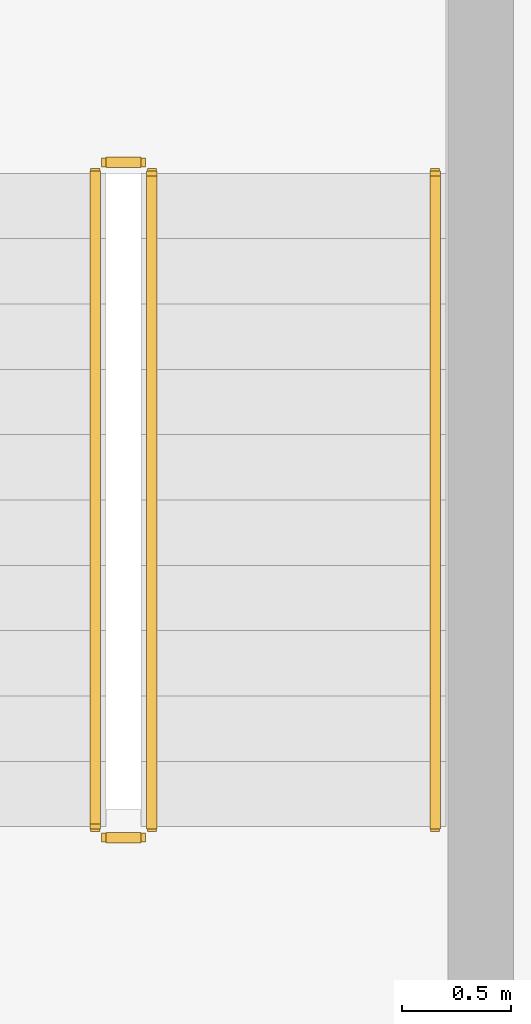
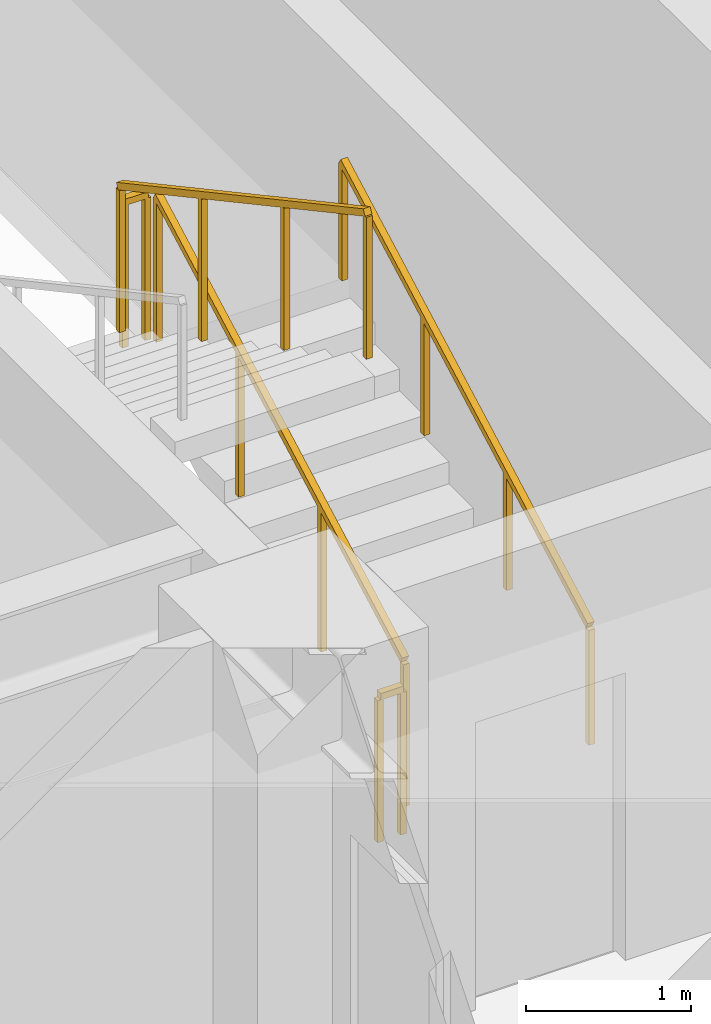
# One storey, part 14 of 20: 5 railings.
"""IFC4 building model written with IfcOpenShell, lengths in metres."""

from ifc_helpers import new_model, si_unit, direction, frame, origin, origin_2d, place, context, subcontext, project, spatial, rectangle, extrude, material, type_object, element, save


model = new_model("IFC4")

# Units and contexts
model_context = context("Model", 3, precision=1e-05, world=origin(), true_north=direction((0.0, 1.0)))
body_context = subcontext(model_context, "Body", "Model", "MODEL_VIEW")
ifc_project = project(units=[si_unit("LENGTHUNIT", "METRE"), si_unit("AREAUNIT", "SQUARE_METRE"), si_unit("VOLUMEUNIT", "CUBIC_METRE"), si_unit("PLANEANGLEUNIT", "RADIAN"), si_unit("MASSUNIT", "GRAM", prefix="KILO")], contexts=[model_context])

# Site, building, storey
site_placement = place(None, origin())
site = spatial("IfcSite", under=ifc_project, at=site_placement, CompositionType="ELEMENT")
building_placement = place(site_placement, origin())
building = spatial("IfcBuilding", under=site, at=building_placement, Name="Zulmaris Gate Convention Tower", CompositionType="ELEMENT")
storey_placement = place(building_placement, frame((0.0, 0.0, 71.469970703125)))
storey = spatial("IfcBuildingStorey", under=building, at=storey_placement, Name="L17", CompositionType="ELEMENT", Elevation=71.469970703125)

# Railings
ifc_material_1 = material(Name="Painted Galvanised Steel", Category="steel")
railing_type_1 = type_object("IfcRailingType", Name="RL-STG-1150", PredefinedType="GUARDRAIL", material=ifc_material_1)
railing_1_placement = place(storey_placement, frame((-18.2099609375, -8.199951171875, 0.162353515625)))
element("IfcRailing", 1, at=railing_1_placement, inside=storey, type_object=railing_type_1, Name="L17 ST-3 stair guard 1", PredefinedType="GUARDRAIL", context=body_context, shape_type="SweptSolid", body=[
    extrude(rectangle(XDim=0.048095703125, YDim=0.048095703125, at=origin_2d()), frame((0.0, 0.0, 1.076171875), z_axis=(0.0, 0.879591569277, 0.475729619907), x_axis=(-1.0, 0.0, 0.0)), (0.0, 0.0, 1.0), 3.41064453125),
    extrude(rectangle(XDim=0.0419921875, YDim=0.0419921875, at=origin_2d()), origin(), (0.0, 0.0, 1.0), 1.052001953125),
    extrude(rectangle(XDim=0.0419921875, YDim=0.0419921875, at=origin_2d()), frame((0.0, 1.0, 0.540771484375)), (0.0, 0.0, 1.0), 1.052001953125),
    extrude(rectangle(XDim=0.0419921875, YDim=0.0419921875, at=origin_2d()), frame((0.0, 2.0, 1.081787109375)), (0.0, 0.0, 1.0), 1.052001953125),
    extrude(rectangle(XDim=0.0419921875, YDim=0.0419921875, at=origin_2d()), frame((0.0, 3.0, 1.62255859375)), (0.0, 0.0, 1.0), 1.052001953125),
])
railing_2_placement = place(storey_placement, frame((-18.260009765625, -5.14990234375, 1.784912109375)))
element("IfcRailing", 2, at=railing_2_placement, inside=storey, type_object=railing_type_1, Name="L17 ST-3 stair guard 2", PredefinedType="GUARDRAIL", context=body_context, shape_type="SweptSolid", body=[
    extrude(rectangle(XDim=0.048095703125, YDim=0.048095703125, at=origin_2d()), frame((0.0, 0.0, 1.076171875), z_axis=(-1.0, 0.0, 0.0), x_axis=(0.0, -1.0, 0.0)), (0.0, 0.0, 1.0), 0.159912109375),
    extrude(rectangle(XDim=0.0419921875, YDim=0.0419921875, at=origin_2d()), origin(), (0.0, 0.0, 1.0), 1.052001953125),
    extrude(rectangle(XDim=0.0419921875, YDim=0.0419921875, at=origin_2d()), frame((-0.159912109375, 0.0, 0.0)), (0.0, 0.0, 1.0), 1.052001953125),
])
railing_3_placement = place(storey_placement, frame((-18.469970703125, -5.199951171875, 1.947265625)))
element("IfcRailing", 3, at=railing_3_placement, inside=storey, type_object=railing_type_1, Name="L17 ST-3 stair guard 3", PredefinedType="GUARDRAIL", context=body_context, shape_type="SweptSolid", body=[
    extrude(rectangle(XDim=0.048095703125, YDim=0.048095703125, at=origin_2d()), frame((0.0, 0.0, 1.076171875), z_axis=(0.0, -0.8795616155, 0.475784998228), x_axis=(1.0, 0.0, 0.0)), (0.0, 0.0, 1.0), 3.410888671875),
    extrude(rectangle(XDim=0.0419921875, YDim=0.0419921875, at=origin_2d()), origin(), (0.0, 0.0, 1.0), 1.052001953125),
    extrude(rectangle(XDim=0.0419921875, YDim=0.0419921875, at=origin_2d()), frame((0.0, -1.0, 0.541015625)), (0.0, 0.0, 1.0), 1.052001953125),
    extrude(rectangle(XDim=0.0419921875, YDim=0.0419921875, at=origin_2d()), frame((0.0, -2.0, 1.081787109375)), (0.0, 0.0, 1.0), 1.052001953125),
    extrude(rectangle(XDim=0.0419921875, YDim=0.0419921875, at=origin_2d()), frame((0.0, -3.0, 1.622802734375)), (0.0, 0.0, 1.0), 1.052001953125),
])
railing_4_placement = place(storey_placement, frame((-18.260009765625, -8.25, 0.0)))
element("IfcRailing", 4, at=railing_4_placement, inside=storey, type_object=railing_type_1, Name="L17 ST-3 stair guard 4", PredefinedType="GUARDRAIL", context=body_context, shape_type="SweptSolid", body=[
    extrude(rectangle(XDim=0.048095703125, YDim=0.048095703125, at=origin_2d()), frame((0.0, 0.0, 1.076171875), z_axis=(-1.0, 0.0, 0.0), x_axis=(0.0, -1.0, 0.0)), (0.0, 0.0, 1.0), 0.159912109375),
    extrude(rectangle(XDim=0.0419921875, YDim=0.0419921875, at=origin_2d()), origin(), (0.0, 0.0, 1.0), 1.052001953125),
    extrude(rectangle(XDim=0.0419921875, YDim=0.0419921875, at=origin_2d()), frame((-0.159912109375, 0.0, 0.0)), (0.0, 0.0, 1.0), 1.052001953125),
])
ifc_material_2 = material(Name="Brushed Stainless Steel", Category="steel")
railing_type_2 = type_object("IfcRailingType", Name="RL-STH-900", PredefinedType="HANDRAIL", material=ifc_material_2)
railing_5_placement = place(storey_placement, frame((-16.909912109375, -8.199951171875, 0.162353515625)))
element("IfcRailing", 5, at=railing_5_placement, inside=storey, type_object=railing_type_2, Name="L17 ST-3 stair handrail 1", PredefinedType="HANDRAIL", context=body_context, shape_type="SweptSolid", body=[
    extrude(rectangle(XDim=0.048095703125, YDim=0.048095703125, at=origin_2d()), frame((0.0, 0.0, 0.8759765625), z_axis=(0.0, 0.879591569277, 0.475729619907), x_axis=(-1.0, 0.0, 0.0)), (0.0, 0.0, 1.0), 3.41064453125),
    extrude(rectangle(XDim=0.0419921875, YDim=0.0419921875, at=origin_2d()), origin(), (0.0, 0.0, 1.0), 0.851806640625),
    extrude(rectangle(XDim=0.0419921875, YDim=0.0419921875, at=origin_2d()), frame((0.0, 1.0, 0.540771484375)), (0.0, 0.0, 1.0), 0.851806640625),
    extrude(rectangle(XDim=0.0419921875, YDim=0.0419921875, at=origin_2d()), frame((0.0, 2.0, 1.081787109375)), (0.0, 0.0, 1.0), 0.851806640625),
    extrude(rectangle(XDim=0.0419921875, YDim=0.0419921875, at=origin_2d()), frame((0.0, 3.0, 1.62255859375)), (0.0, 0.0, 1.0), 0.851806640625),
])

save(model, "model.ifc")
